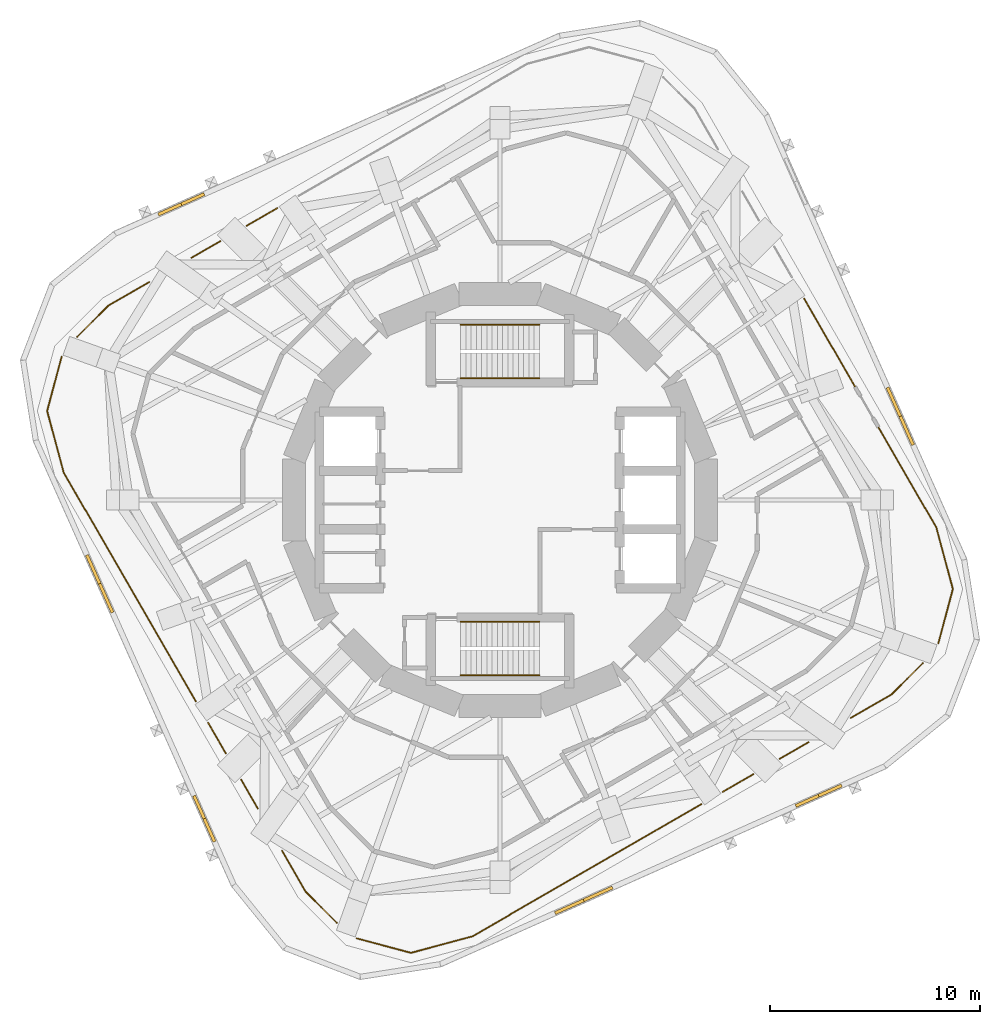
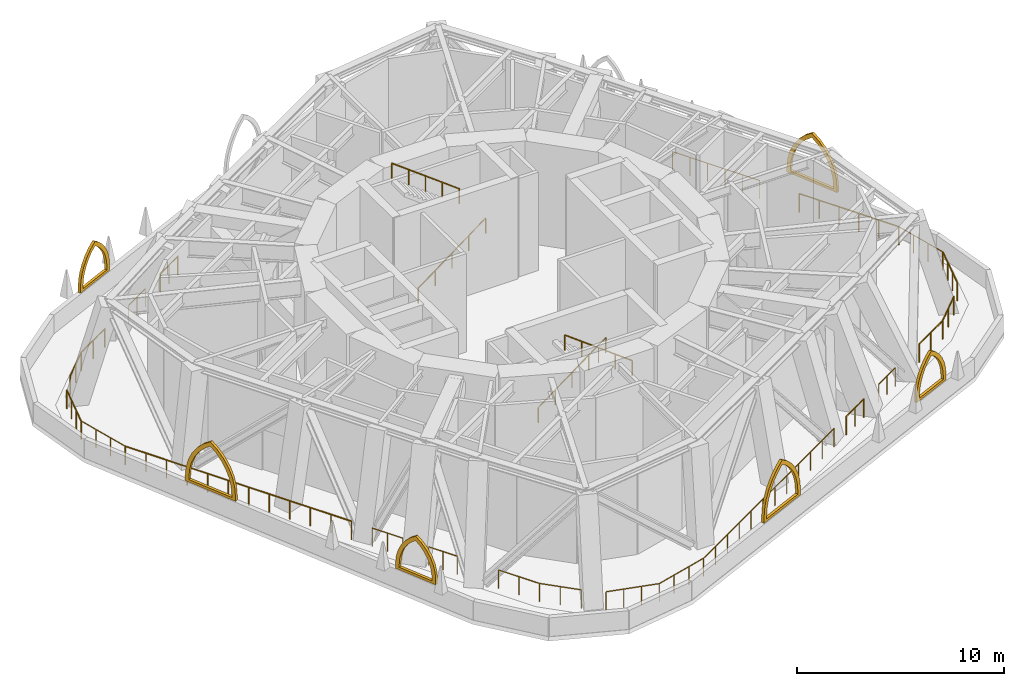
# One storey, part 8 of 10: 26 railings, 6 shading devices.
"""IFC4 building model written with IfcOpenShell, lengths in metres."""

from ifc_helpers import new_model, si_unit, direction, frame, origin, origin_2d, place, context, subcontext, project, spatial, polyline, circle, outline, extrude, material, type_object, element, save


model = new_model("IFC4")

# Units and contexts
model_context = context("Model", 3, precision=1e-05, world=origin(), true_north=direction((0.0, 1.0)))
body_context = subcontext(model_context, "Body", "Model", "MODEL_VIEW")
ifc_project = project(units=[si_unit("LENGTHUNIT", "METRE"), si_unit("AREAUNIT", "SQUARE_METRE"), si_unit("VOLUMEUNIT", "CUBIC_METRE"), si_unit("PLANEANGLEUNIT", "RADIAN"), si_unit("MASSUNIT", "GRAM", prefix="KILO")], contexts=[model_context])

# Site, building, storey
site_placement = place(None, origin())
site = spatial("IfcSite", under=ifc_project, at=site_placement, CompositionType="ELEMENT")
building_placement = place(site_placement, origin())
building = spatial("IfcBuilding", under=site, at=building_placement, Name="Nakasero Lantern House", CompositionType="ELEMENT")
storey_placement = place(building_placement, frame((0.0, 0.0, 217.10009765625)))
storey = spatial("IfcBuildingStorey", under=building, at=storey_placement, Name="L53", CompositionType="ELEMENT", Elevation=217.10009765625)

# Shading devices
ifc_material_1 = material(Name="Aluminium 6063-T6", Category="aluminium")
shading_device_type_1 = type_object("IfcShadingDeviceType", Name="Lancet screen 2400", PredefinedType="USERDEFINED", material=ifc_material_1)
for number, where, z_axis, x_axis, name in (
    (1, (-15.1845703125, 14.09228515625, 1.099853515625), (0.0, 0.0, 1.0), (-0.913545458, -0.406736643, 0.0), "Tracery screen L53 1-01"),
    (2, (-14.09228515625, -15.1845703125, 1.099853515625), (0.0, 0.0, 1.0), (0.406736643, -0.913545458, 0.0), "Tracery screen L53 2-01"),
    (3, (15.1845703125, -14.09228515625, 1.099853515625), (0.0, 0.0, 1.0), (0.913545458, 0.406736643, 0.0), "Tracery screen L53 3-01"),
):
    element("IfcShadingDevice", number, at=place(storey_placement, frame(where, z_axis=z_axis, x_axis=x_axis)), inside=storey, type_object=shading_device_type_1, Name=name, ObjectType="LANCET SCREEN", PredefinedType="USERDEFINED", context=body_context, shape_type="SweptSolid", body=[
        extrude(outline(polyline([(-1.199951171875, 0.0), (1.199951171875, 0.0), (1.199951171875, 0.300048828125), (1.16357421875, 0.716796875), (1.05517578125, 1.120849609375), (0.87841796875, 1.5), (0.638427734375, 1.8427734375), (0.3427734375, 2.138427734375), (0.0, 2.37841796875), (-0.3427734375, 2.138427734375), (-0.638427734375, 1.8427734375), (-0.87841796875, 1.5), (-1.05517578125, 1.120849609375), (-1.16357421875, 0.716796875), (-1.199951171875, 0.300048828125), (-1.199951171875, 0.0)]), holes=[polyline([(-0.97998046875, 0.14990234375), (0.97998046875, 0.14990234375), (0.97998046875, 0.300048828125), (0.950439453125, 0.6572265625), (0.86279296875, 1.0048828125), (0.719482421875, 1.33349609375), (0.524169921875, 1.63427734375), (0.281982421875, 1.898681640625), (0.0, 2.1201171875), (-0.281982421875, 1.898681640625), (-0.524169921875, 1.63427734375), (-0.719482421875, 1.33349609375), (-0.86279296875, 1.0048828125), (-0.950439453125, 0.6572265625), (-0.97998046875, 0.300048828125), (-0.97998046875, 0.14990234375)])]), frame((0.0, 0.074951171875, 0.0), z_axis=(0.0, -1.0, 0.0), x_axis=(1.0, 0.0, 0.0)), (0.0, 0.0, 1.0), 0.14990234375),
    ])
ifc_material_2 = material(Name="Aluminium 6063-T6", Category="aluminium")
shading_device_type_2 = type_object("IfcShadingDeviceType", Name="Lancet screen 3000", PredefinedType="USERDEFINED", material=ifc_material_2)
for number, where, z_axis, x_axis, name in (
    (4, (19.076171875, 3.990234375, 1.099853515625), (0.0, 0.0, 1.0), (-0.406736643, 0.913545458, 0.0), "Tracery screen L53 0-00"),
    (5, (-19.076171875, -3.990234375, 1.099853515625), (0.0, 0.0, 1.0), (0.406736643, -0.913545458, 0.0), "Tracery screen L53 2-00"),
    (6, (3.990234375, -19.076171875, 1.099853515625), (0.0, 0.0, 1.0), (0.913545458, 0.406736643, 0.0), "Tracery screen L53 3-00"),
):
    element("IfcShadingDevice", number, at=place(storey_placement, frame(where, z_axis=z_axis, x_axis=x_axis)), inside=storey, type_object=shading_device_type_2, Name=name, ObjectType="LANCET SCREEN", PredefinedType="USERDEFINED", context=body_context, shape_type="SweptSolid", body=[
        extrude(outline(polyline([(-1.5, 0.0), (1.5, 0.0), (1.5, 0.300048828125), (1.454345703125, 0.821044921875), (1.319091796875, 1.326171875), (1.09814453125, 1.800048828125), (0.798095703125, 2.228271484375), (0.428466796875, 2.59814453125), (0.0, 2.898193359375), (-0.428466796875, 2.59814453125), (-0.798095703125, 2.228271484375), (-1.09814453125, 1.800048828125), (-1.319091796875, 1.326171875), (-1.454345703125, 0.821044921875), (-1.5, 0.300048828125), (-1.5, 0.0)]), holes=[polyline([(-1.280029296875, 0.14990234375), (1.280029296875, 0.14990234375), (1.280029296875, 0.300048828125), (1.241455078125, 0.761474609375), (1.126708984375, 1.21044921875), (0.939208984375, 1.6337890625), (0.683837890625, 2.020263671875), (0.367919921875, 2.359130859375), (0.0, 2.640625), (-0.367919921875, 2.359130859375), (-0.683837890625, 2.020263671875), (-0.939208984375, 1.6337890625), (-1.126708984375, 1.21044921875), (-1.241455078125, 0.761474609375), (-1.280029296875, 0.300048828125), (-1.280029296875, 0.14990234375)])]), frame((0.0, 0.074951171875, 0.0), z_axis=(0.0, -1.0, 0.0), x_axis=(1.0, 0.0, 0.0)), (0.0, 0.0, 1.0), 0.14990234375),
    ])

# Railings
ifc_material_3 = material(Name="Aluminium 6063-T6", Category="aluminium")
railing_type_1 = type_object("IfcRailingType", Name="Sky garden guard 1100", PredefinedType="GUARDRAIL", material=ifc_material_3)
railing_1_placement = place(storey_placement, frame((-21.580078125, 4.245849609375, 0.0)))
element("IfcRailing", 7, at=railing_1_placement, inside=storey, type_object=railing_type_1, Name="Refuge area guard L53 1", PredefinedType="GUARDRAIL", context=body_context, shape_type="SweptSolid", body=[
    extrude(circle(Radius=0.02392578125, at=origin_2d()), frame((0.0, 0.0, 1.076171875), z_axis=(0.258818398619, 0.965925999513, 0.0), x_axis=(-0.965925999513, 0.258818398619, 0.0)), (0.0, 0.0, 1.0), 2.66845703125),
    extrude(circle(Radius=0.02099609375, at=origin_2d()), origin(), (0.0, 0.0, 1.0), 1.052001953125),
    extrude(circle(Radius=0.02099609375, at=origin_2d()), frame((0.230224609375, 0.859130859375, 0.0)), (0.0, 0.0, 1.0), 1.052001953125),
    extrude(circle(Radius=0.02099609375, at=origin_2d()), frame((0.46044921875, 1.718505859375, 0.0)), (0.0, 0.0, 1.0), 1.052001953125),
    extrude(circle(Radius=0.02099609375, at=origin_2d()), frame((0.690673828125, 2.57763671875, 0.0)), (0.0, 0.0, 1.0), 1.052001953125),
])
railing_2_placement = place(storey_placement, frame((-20.7958984375, 1.319580078125, 0.0)))
element("IfcRailing", 8, at=railing_2_placement, inside=storey, type_object=railing_type_1, Name="Refuge area guard L53 2", PredefinedType="GUARDRAIL", context=body_context, shape_type="SweptSolid", body=[
    extrude(circle(Radius=0.02392578125, at=origin_2d()), frame((0.0, 0.0, 1.076171875), z_axis=(-0.258846186657, 0.965918553323, 0.0), x_axis=(-0.965918553323, -0.258846186657, 0.0)), (0.0, 0.0, 1.0), 3.029541015625),
    extrude(circle(Radius=0.02099609375, at=origin_2d()), origin(), (0.0, 0.0, 1.0), 1.052001953125),
    extrude(circle(Radius=0.02099609375, at=origin_2d()), frame((-0.261474609375, 0.975341796875, 0.0)), (0.0, 0.0, 1.0), 1.052001953125),
    extrude(circle(Radius=0.02099609375, at=origin_2d()), frame((-0.522705078125, 1.950927734375, 0.0)), (0.0, 0.0, 1.0), 1.052001953125),
    extrude(circle(Radius=0.02099609375, at=origin_2d()), frame((-0.7841796875, 2.92626953125, 0.0)), (0.0, 0.0, 1.0), 1.052001953125),
])
railing_3_placement = place(storey_placement, frame((-20.150146484375, 7.774658203125, 0.0)))
element("IfcRailing", 9, at=railing_3_placement, inside=storey, type_object=railing_type_1, Name="Refuge area guard L53 3", PredefinedType="GUARDRAIL", context=body_context, shape_type="SweptSolid", body=[
    extrude(circle(Radius=0.02392578125, at=origin_2d()), frame((0.0, 0.0, 1.076171875), z_axis=(0.707106781187, 0.707106781187, 0.0), x_axis=(-0.707106781187, 0.707106781187, 0.0)), (0.0, 0.0, 1.0), 2.09375),
    extrude(circle(Radius=0.02099609375, at=origin_2d()), origin(), (0.0, 0.0, 1.0), 1.052001953125),
    extrude(circle(Radius=0.02099609375, at=origin_2d()), frame((0.740234375, 0.740234375, 0.0)), (0.0, 0.0, 1.0), 1.052001953125),
    extrude(circle(Radius=0.02099609375, at=origin_2d()), frame((1.48046875, 1.48046875, 0.0)), (0.0, 0.0, 1.0), 1.052001953125),
])
railing_4_placement = place(storey_placement, frame((-18.669677734375, 9.255126953125, 0.0)))
element("IfcRailing", 10, at=railing_4_placement, inside=storey, type_object=railing_type_1, Name="Refuge area guard L53 4", PredefinedType="GUARDRAIL", context=body_context, shape_type="SweptSolid", body=[
    extrude(circle(Radius=0.02392578125, at=origin_2d()), frame((0.0, 0.0, 1.076171875), z_axis=(0.866031630577, 0.499989214724, 0.0), x_axis=(-0.499989214724, 0.866031630577, 0.0)), (0.0, 0.0, 1.0), 2.27099609375),
    extrude(circle(Radius=0.02099609375, at=origin_2d()), origin(), (0.0, 0.0, 1.0), 1.052001953125),
    extrude(circle(Radius=0.02099609375, at=origin_2d()), frame((0.9833984375, 0.56787109375, 0.0)), (0.0, 0.0, 1.0), 1.052001953125),
    extrude(circle(Radius=0.02099609375, at=origin_2d()), frame((1.966796875, 1.135498046875, 0.0)), (0.0, 0.0, 1.0), 1.052001953125),
])
railing_5_placement = place(storey_placement, frame((-14.705322265625, 11.5439453125, 0.0)))
element("IfcRailing", 11, at=railing_5_placement, inside=storey, type_object=railing_type_1, Name="Refuge area guard L53 5", PredefinedType="GUARDRAIL", context=body_context, shape_type="SweptSolid", body=[
    extrude(circle(Radius=0.02392578125, at=origin_2d()), frame((0.0, 0.0, 1.076171875), z_axis=(0.866070501561, 0.499921880224, 0.0), x_axis=(-0.499921880224, 0.866070501561, 0.0)), (0.0, 0.0, 1.0), 1.589599609375),
    extrude(circle(Radius=0.02099609375, at=origin_2d()), origin(), (0.0, 0.0, 1.0), 1.052001953125),
    extrude(circle(Radius=0.02099609375, at=origin_2d()), frame((0.6884765625, 0.3974609375, 0.0)), (0.0, 0.0, 1.0), 1.052001953125),
    extrude(circle(Radius=0.02099609375, at=origin_2d()), frame((1.376708984375, 0.794677734375, 0.0)), (0.0, 0.0, 1.0), 1.052001953125),
])
railing_6_placement = place(storey_placement, frame((-14.49169921875, -9.599609375, 0.0)))
element("IfcRailing", 12, at=railing_6_placement, inside=storey, type_object=railing_type_1, Name="Refuge area guard L53 6", PredefinedType="GUARDRAIL", context=body_context, shape_type="SweptSolid", body=[
    extrude(circle(Radius=0.02392578125, at=origin_2d()), frame((0.0, 0.0, 1.076171875), z_axis=(-0.500000133759, 0.866025326558, 0.0), x_axis=(-0.866025326558, -0.500000133759, 0.0)), (0.0, 0.0, 1.0), 12.6083984375),
    extrude(circle(Radius=0.02099609375, at=origin_2d()), origin(), (0.0, 0.0, 1.0), 1.052001953125),
    extrude(circle(Radius=0.02099609375, at=origin_2d()), frame((-0.572998046875, 0.99267578125, 0.0)), (0.0, 0.0, 1.0), 1.052001953125),
    extrude(circle(Radius=0.02099609375, at=origin_2d()), frame((-1.146240234375, 1.9853515625, 0.0)), (0.0, 0.0, 1.0), 1.052001953125),
    extrude(circle(Radius=0.02099609375, at=origin_2d()), frame((-1.71923828125, 2.97802734375, 0.0)), (0.0, 0.0, 1.0), 1.052001953125),
    extrude(circle(Radius=0.02099609375, at=origin_2d()), frame((-2.29248046875, 3.970703125, 0.0)), (0.0, 0.0, 1.0), 1.052001953125),
    extrude(circle(Radius=0.02099609375, at=origin_2d()), frame((-2.865478515625, 4.96337890625, 0.0)), (0.0, 0.0, 1.0), 1.052001953125),
    extrude(circle(Radius=0.02099609375, at=origin_2d()), frame((-3.438720703125, 5.955810546875, 0.0)), (0.0, 0.0, 1.0), 1.052001953125),
    extrude(circle(Radius=0.02099609375, at=origin_2d()), frame((-4.01171875, 6.948486328125, 0.0)), (0.0, 0.0, 1.0), 1.052001953125),
    extrude(circle(Radius=0.02099609375, at=origin_2d()), frame((-4.5849609375, 7.941162109375, 0.0)), (0.0, 0.0, 1.0), 1.052001953125),
    extrude(circle(Radius=0.02099609375, at=origin_2d()), frame((-5.157958984375, 8.933837890625, 0.0)), (0.0, 0.0, 1.0), 1.052001953125),
    extrude(circle(Radius=0.02099609375, at=origin_2d()), frame((-5.731201171875, 9.926513671875, 0.0)), (0.0, 0.0, 1.0), 1.052001953125),
    extrude(circle(Radius=0.02099609375, at=origin_2d()), frame((-6.30419921875, 10.919189453125, 0.0)), (0.0, 0.0, 1.0), 1.052001953125),
])
railing_7_placement = place(storey_placement, frame((-13.0634765625, -12.073486328125, 0.0)))
element("IfcRailing", 13, at=railing_7_placement, inside=storey, type_object=railing_type_1, Name="Refuge area guard L53 7", PredefinedType="GUARDRAIL", context=body_context, shape_type="SweptSolid", body=[
    extrude(circle(Radius=0.02392578125, at=origin_2d()), frame((0.0, 0.0, 1.076171875), z_axis=(-0.499966756159, 0.866044596274, 0.0), x_axis=(-0.866044596274, -0.499966756159, 0.0)), (0.0, 0.0, 1.0), 1.701171875),
    extrude(circle(Radius=0.02099609375, at=origin_2d()), origin(), (0.0, 0.0, 1.0), 1.052001953125),
    extrude(circle(Radius=0.02099609375, at=origin_2d()), frame((-0.42529296875, 0.73681640625, 0.0)), (0.0, 0.0, 1.0), 1.052001953125),
    extrude(circle(Radius=0.02099609375, at=origin_2d()), frame((-0.8505859375, 1.473388671875, 0.0)), (0.0, 0.0, 1.0), 1.052001953125),
])
railing_8_placement = place(storey_placement, frame((-12.073486328125, 13.0634765625, 0.0)))
element("IfcRailing", 14, at=railing_8_placement, inside=storey, type_object=railing_type_1, Name="Refuge area guard L53 8", PredefinedType="GUARDRAIL", context=body_context, shape_type="SweptSolid", body=[
    extrude(circle(Radius=0.02392578125, at=origin_2d()), frame((0.0, 0.0, 1.076171875), z_axis=(0.866044596274, 0.499966756159, 0.0), x_axis=(-0.499966756159, 0.866044596274, 0.0)), (0.0, 0.0, 1.0), 1.701171875),
    extrude(circle(Radius=0.02099609375, at=origin_2d()), origin(), (0.0, 0.0, 1.0), 1.052001953125),
    extrude(circle(Radius=0.02099609375, at=origin_2d()), frame((0.73681640625, 0.42529296875, 0.0)), (0.0, 0.0, 1.0), 1.052001953125),
    extrude(circle(Radius=0.02099609375, at=origin_2d()), frame((1.473388671875, 0.8505859375, 0.0)), (0.0, 0.0, 1.0), 1.052001953125),
])
railing_9_placement = place(storey_placement, frame((-11.5439453125, -14.705322265625, 0.0)))
element("IfcRailing", 15, at=railing_9_placement, inside=storey, type_object=railing_type_1, Name="Refuge area guard L53 9", PredefinedType="GUARDRAIL", context=body_context, shape_type="SweptSolid", body=[
    extrude(circle(Radius=0.02392578125, at=origin_2d()), frame((0.0, 0.0, 1.076171875), z_axis=(-0.499921880224, 0.866070501561, 0.0), x_axis=(-0.866070501561, -0.499921880224, 0.0)), (0.0, 0.0, 1.0), 1.589599609375),
    extrude(circle(Radius=0.02099609375, at=origin_2d()), origin(), (0.0, 0.0, 1.0), 1.052001953125),
    extrude(circle(Radius=0.02099609375, at=origin_2d()), frame((-0.3974609375, 0.6884765625, 0.0)), (0.0, 0.0, 1.0), 1.052001953125),
    extrude(circle(Radius=0.02099609375, at=origin_2d()), frame((-0.794677734375, 1.376708984375, 0.0)), (0.0, 0.0, 1.0), 1.052001953125),
])
railing_10_placement = place(storey_placement, frame((-9.255126953125, -18.669677734375, 0.0)))
element("IfcRailing", 16, at=railing_10_placement, inside=storey, type_object=railing_type_1, Name="Refuge area guard L53 11", PredefinedType="GUARDRAIL", context=body_context, shape_type="SweptSolid", body=[
    extrude(circle(Radius=0.02392578125, at=origin_2d()), frame((0.0, 0.0, 1.076171875), z_axis=(-0.499989214724, 0.866031630577, 0.0), x_axis=(-0.866031630577, -0.499989214724, 0.0)), (0.0, 0.0, 1.0), 2.27099609375),
    extrude(circle(Radius=0.02099609375, at=origin_2d()), origin(), (0.0, 0.0, 1.0), 1.052001953125),
    extrude(circle(Radius=0.02099609375, at=origin_2d()), frame((-0.56787109375, 0.9833984375, 0.0)), (0.0, 0.0, 1.0), 1.052001953125),
    extrude(circle(Radius=0.02099609375, at=origin_2d()), frame((-1.135498046875, 1.966796875, 0.0)), (0.0, 0.0, 1.0), 1.052001953125),
])
railing_11_placement = place(storey_placement, frame((-7.774658203125, -20.150146484375, 0.0)))
element("IfcRailing", 17, at=railing_11_placement, inside=storey, type_object=railing_type_1, Name="Refuge area guard L53 12", PredefinedType="GUARDRAIL", context=body_context, shape_type="SweptSolid", body=[
    extrude(circle(Radius=0.02392578125, at=origin_2d()), frame((0.0, 0.0, 1.076171875), z_axis=(-0.707106781187, 0.707106781187, 0.0), x_axis=(-0.707106781187, -0.707106781187, 0.0)), (0.0, 0.0, 1.0), 2.09375),
    extrude(circle(Radius=0.02099609375, at=origin_2d()), origin(), (0.0, 0.0, 1.0), 1.052001953125),
    extrude(circle(Radius=0.02099609375, at=origin_2d()), frame((-0.740234375, 0.740234375, 0.0)), (0.0, 0.0, 1.0), 1.052001953125),
    extrude(circle(Radius=0.02099609375, at=origin_2d()), frame((-1.48046875, 1.48046875, 0.0)), (0.0, 0.0, 1.0), 1.052001953125),
])
railing_12_placement = place(storey_placement, frame((-4.245849609375, -21.580078125, 0.0)))
element("IfcRailing", 18, at=railing_12_placement, inside=storey, type_object=railing_type_1, Name="Refuge area guard L53 13", PredefinedType="GUARDRAIL", context=body_context, shape_type="SweptSolid", body=[
    extrude(circle(Radius=0.02392578125, at=origin_2d()), frame((0.0, 0.0, 1.076171875), z_axis=(-0.965925999513, 0.258818398619, 0.0), x_axis=(-0.258818398619, -0.965925999513, 0.0)), (0.0, 0.0, 1.0), 2.66845703125),
    extrude(circle(Radius=0.02099609375, at=origin_2d()), origin(), (0.0, 0.0, 1.0), 1.052001953125),
    extrude(circle(Radius=0.02099609375, at=origin_2d()), frame((-0.859130859375, 0.230224609375, 0.0)), (0.0, 0.0, 1.0), 1.052001953125),
    extrude(circle(Radius=0.02099609375, at=origin_2d()), frame((-1.718505859375, 0.46044921875, 0.0)), (0.0, 0.0, 1.0), 1.052001953125),
    extrude(circle(Radius=0.02099609375, at=origin_2d()), frame((-2.57763671875, 0.690673828125, 0.0)), (0.0, 0.0, 1.0), 1.052001953125),
])
railing_13_placement = place(storey_placement, frame((-1.319580078125, -20.7958984375, 0.0)))
element("IfcRailing", 19, at=railing_13_placement, inside=storey, type_object=railing_type_1, Name="Refuge area guard L53 14", PredefinedType="GUARDRAIL", context=body_context, shape_type="SweptSolid", body=[
    extrude(circle(Radius=0.02392578125, at=origin_2d()), frame((0.0, 0.0, 1.076171875), z_axis=(-0.965918553323, -0.258846186657, 0.0), x_axis=(0.258846186657, -0.965918553323, 0.0)), (0.0, 0.0, 1.0), 3.029541015625),
    extrude(circle(Radius=0.02099609375, at=origin_2d()), origin(), (0.0, 0.0, 1.0), 1.052001953125),
    extrude(circle(Radius=0.02099609375, at=origin_2d()), frame((-0.975341796875, -0.261474609375, 0.0)), (0.0, 0.0, 1.0), 1.052001953125),
    extrude(circle(Radius=0.02099609375, at=origin_2d()), frame((-1.950927734375, -0.522705078125, 0.0)), (0.0, 0.0, 1.0), 1.052001953125),
    extrude(circle(Radius=0.02099609375, at=origin_2d()), frame((-2.92626953125, -0.7841796875, 0.0)), (0.0, 0.0, 1.0), 1.052001953125),
])
railing_14_placement = place(storey_placement, frame((9.599609375, -14.49169921875, 0.0)))
element("IfcRailing", 20, at=railing_14_placement, inside=storey, type_object=railing_type_1, Name="Refuge area guard L53 19", PredefinedType="GUARDRAIL", context=body_context, shape_type="SweptSolid", body=[
    extrude(circle(Radius=0.02392578125, at=origin_2d()), frame((0.0, 0.0, 1.076171875), z_axis=(-0.866025326558, -0.500000133759, 0.0), x_axis=(0.500000133759, -0.866025326558, 0.0)), (0.0, 0.0, 1.0), 12.6083984375),
    extrude(circle(Radius=0.02099609375, at=origin_2d()), origin(), (0.0, 0.0, 1.0), 1.052001953125),
    extrude(circle(Radius=0.02099609375, at=origin_2d()), frame((-0.99267578125, -0.572998046875, 0.0)), (0.0, 0.0, 1.0), 1.052001953125),
    extrude(circle(Radius=0.02099609375, at=origin_2d()), frame((-1.9853515625, -1.146240234375, 0.0)), (0.0, 0.0, 1.0), 1.052001953125),
    extrude(circle(Radius=0.02099609375, at=origin_2d()), frame((-2.97802734375, -1.71923828125, 0.0)), (0.0, 0.0, 1.0), 1.052001953125),
    extrude(circle(Radius=0.02099609375, at=origin_2d()), frame((-3.970703125, -2.29248046875, 0.0)), (0.0, 0.0, 1.0), 1.052001953125),
    extrude(circle(Radius=0.02099609375, at=origin_2d()), frame((-4.96337890625, -2.865478515625, 0.0)), (0.0, 0.0, 1.0), 1.052001953125),
    extrude(circle(Radius=0.02099609375, at=origin_2d()), frame((-5.955810546875, -3.438720703125, 0.0)), (0.0, 0.0, 1.0), 1.052001953125),
    extrude(circle(Radius=0.02099609375, at=origin_2d()), frame((-6.948486328125, -4.01171875, 0.0)), (0.0, 0.0, 1.0), 1.052001953125),
    extrude(circle(Radius=0.02099609375, at=origin_2d()), frame((-7.941162109375, -4.5849609375, 0.0)), (0.0, 0.0, 1.0), 1.052001953125),
    extrude(circle(Radius=0.02099609375, at=origin_2d()), frame((-8.933837890625, -5.157958984375, 0.0)), (0.0, 0.0, 1.0), 1.052001953125),
    extrude(circle(Radius=0.02099609375, at=origin_2d()), frame((-9.926513671875, -5.731201171875, 0.0)), (0.0, 0.0, 1.0), 1.052001953125),
    extrude(circle(Radius=0.02099609375, at=origin_2d()), frame((-10.919189453125, -6.30419921875, 0.0)), (0.0, 0.0, 1.0), 1.052001953125),
])
railing_15_placement = place(storey_placement, frame((12.073486328125, -13.0634765625, 0.0)))
element("IfcRailing", 21, at=railing_15_placement, inside=storey, type_object=railing_type_1, Name="Refuge area guard L53 21", PredefinedType="GUARDRAIL", context=body_context, shape_type="SweptSolid", body=[
    extrude(circle(Radius=0.02392578125, at=origin_2d()), frame((0.0, 0.0, 1.076171875), z_axis=(-0.866044596274, -0.499966756159, 0.0), x_axis=(0.499966756159, -0.866044596274, 0.0)), (0.0, 0.0, 1.0), 1.701171875),
    extrude(circle(Radius=0.02099609375, at=origin_2d()), origin(), (0.0, 0.0, 1.0), 1.052001953125),
    extrude(circle(Radius=0.02099609375, at=origin_2d()), frame((-0.73681640625, -0.42529296875, 0.0)), (0.0, 0.0, 1.0), 1.052001953125),
    extrude(circle(Radius=0.02099609375, at=origin_2d()), frame((-1.473388671875, -0.8505859375, 0.0)), (0.0, 0.0, 1.0), 1.052001953125),
])
railing_16_placement = place(storey_placement, frame((14.49169921875, 9.599609375, 0.0)))
element("IfcRailing", 22, at=railing_16_placement, inside=storey, type_object=railing_type_1, Name="Refuge area guard L53 23", PredefinedType="GUARDRAIL", context=body_context, shape_type="SweptSolid", body=[
    extrude(circle(Radius=0.02392578125, at=origin_2d()), frame((0.0, 0.0, 1.076171875), z_axis=(0.49999597136, -0.866027729709, 0.0), x_axis=(0.866027729709, 0.49999597136, 0.0)), (0.0, 0.0, 1.0), 4.86767578125),
    extrude(circle(Radius=0.02099609375, at=origin_2d()), origin(), (0.0, 0.0, 1.0), 1.052001953125),
    extrude(circle(Radius=0.02099609375, at=origin_2d()), frame((0.48681640625, -0.843017578125, 0.0)), (0.0, 0.0, 1.0), 1.052001953125),
    extrude(circle(Radius=0.02099609375, at=origin_2d()), frame((0.9736328125, -1.686279296875, 0.0)), (0.0, 0.0, 1.0), 1.052001953125),
    extrude(circle(Radius=0.02099609375, at=origin_2d()), frame((1.460205078125, -2.529296875, 0.0)), (0.0, 0.0, 1.0), 1.052001953125),
    extrude(circle(Radius=0.02099609375, at=origin_2d()), frame((1.947021484375, -3.37255859375, 0.0)), (0.0, 0.0, 1.0), 1.052001953125),
    extrude(circle(Radius=0.02099609375, at=origin_2d()), frame((2.433837890625, -4.215576171875, 0.0)), (0.0, 0.0, 1.0), 1.052001953125),
])
railing_17_placement = place(storey_placement, frame((14.705322265625, -11.5439453125, 0.0)))
element("IfcRailing", 23, at=railing_17_placement, inside=storey, type_object=railing_type_1, Name="Refuge area guard L53 24", PredefinedType="GUARDRAIL", context=body_context, shape_type="SweptSolid", body=[
    extrude(circle(Radius=0.02392578125, at=origin_2d()), frame((0.0, 0.0, 1.076171875), z_axis=(-0.866070501561, -0.499921880224, 0.0), x_axis=(0.499921880224, -0.866070501561, 0.0)), (0.0, 0.0, 1.0), 1.589599609375),
    extrude(circle(Radius=0.02099609375, at=origin_2d()), origin(), (0.0, 0.0, 1.0), 1.052001953125),
    extrude(circle(Radius=0.02099609375, at=origin_2d()), frame((-0.6884765625, -0.3974609375, 0.0)), (0.0, 0.0, 1.0), 1.052001953125),
    extrude(circle(Radius=0.02099609375, at=origin_2d()), frame((-1.376708984375, -0.794677734375, 0.0)), (0.0, 0.0, 1.0), 1.052001953125),
])
railing_18_placement = place(storey_placement, frame((18.025634765625, 3.478759765625, 0.0)))
element("IfcRailing", 24, at=railing_18_placement, inside=storey, type_object=railing_type_1, Name="Refuge area guard L53 25", PredefinedType="GUARDRAIL", context=body_context, shape_type="SweptSolid", body=[
    extrude(circle(Radius=0.02392578125, at=origin_2d()), frame((0.0, 0.0, 1.076171875), z_axis=(0.499991996097, -0.86603002479, 0.0), x_axis=(0.86603002479, 0.499991996097, 0.0)), (0.0, 0.0, 1.0), 5.54052734375),
    extrude(circle(Radius=0.02099609375, at=origin_2d()), origin(), (0.0, 0.0, 1.0), 1.052001953125),
    extrude(circle(Radius=0.02099609375, at=origin_2d()), frame((0.553955078125, -0.959716796875, 0.0)), (0.0, 0.0, 1.0), 1.052001953125),
    extrude(circle(Radius=0.02099609375, at=origin_2d()), frame((1.108154296875, -1.91943359375, 0.0)), (0.0, 0.0, 1.0), 1.052001953125),
    extrude(circle(Radius=0.02099609375, at=origin_2d()), frame((1.662109375, -2.87890625, 0.0)), (0.0, 0.0, 1.0), 1.052001953125),
    extrude(circle(Radius=0.02099609375, at=origin_2d()), frame((2.21630859375, -3.838623046875, 0.0)), (0.0, 0.0, 1.0), 1.052001953125),
    extrude(circle(Radius=0.02099609375, at=origin_2d()), frame((2.770263671875, -4.79833984375, 0.0)), (0.0, 0.0, 1.0), 1.052001953125),
])
railing_19_placement = place(storey_placement, frame((18.669677734375, -9.255126953125, 0.0)))
element("IfcRailing", 25, at=railing_19_placement, inside=storey, type_object=railing_type_1, Name="Refuge area guard L53 26", PredefinedType="GUARDRAIL", context=body_context, shape_type="SweptSolid", body=[
    extrude(circle(Radius=0.02392578125, at=origin_2d()), frame((0.0, 0.0, 1.076171875), z_axis=(-0.866031630577, -0.499989214724, 0.0), x_axis=(0.499989214724, -0.866031630577, 0.0)), (0.0, 0.0, 1.0), 2.27099609375),
    extrude(circle(Radius=0.02099609375, at=origin_2d()), origin(), (0.0, 0.0, 1.0), 1.052001953125),
    extrude(circle(Radius=0.02099609375, at=origin_2d()), frame((-0.9833984375, -0.56787109375, 0.0)), (0.0, 0.0, 1.0), 1.052001953125),
    extrude(circle(Radius=0.02099609375, at=origin_2d()), frame((-1.966796875, -1.135498046875, 0.0)), (0.0, 0.0, 1.0), 1.052001953125),
])
railing_20_placement = place(storey_placement, frame((20.150146484375, -7.774658203125, 0.0)))
element("IfcRailing", 26, at=railing_20_placement, inside=storey, type_object=railing_type_1, Name="Refuge area guard L53 27", PredefinedType="GUARDRAIL", context=body_context, shape_type="SweptSolid", body=[
    extrude(circle(Radius=0.02392578125, at=origin_2d()), frame((0.0, 0.0, 1.076171875), z_axis=(-0.707106781187, -0.707106781187, 0.0), x_axis=(0.707106781187, -0.707106781187, 0.0)), (0.0, 0.0, 1.0), 2.09375),
    extrude(circle(Radius=0.02099609375, at=origin_2d()), origin(), (0.0, 0.0, 1.0), 1.052001953125),
    extrude(circle(Radius=0.02099609375, at=origin_2d()), frame((-0.740234375, -0.740234375, 0.0)), (0.0, 0.0, 1.0), 1.052001953125),
    extrude(circle(Radius=0.02099609375, at=origin_2d()), frame((-1.48046875, -1.48046875, 0.0)), (0.0, 0.0, 1.0), 1.052001953125),
])
railing_21_placement = place(storey_placement, frame((20.7958984375, -1.319580078125, 0.0)))
element("IfcRailing", 27, at=railing_21_placement, inside=storey, type_object=railing_type_1, Name="Refuge area guard L53 28", PredefinedType="GUARDRAIL", context=body_context, shape_type="SweptSolid", body=[
    extrude(circle(Radius=0.02392578125, at=origin_2d()), frame((0.0, 0.0, 1.076171875), z_axis=(0.258846186657, -0.965918553323, 0.0), x_axis=(0.965918553323, 0.258846186657, 0.0)), (0.0, 0.0, 1.0), 3.029541015625),
    extrude(circle(Radius=0.02099609375, at=origin_2d()), origin(), (0.0, 0.0, 1.0), 1.052001953125),
    extrude(circle(Radius=0.02099609375, at=origin_2d()), frame((0.261474609375, -0.975341796875, 0.0)), (0.0, 0.0, 1.0), 1.052001953125),
    extrude(circle(Radius=0.02099609375, at=origin_2d()), frame((0.522705078125, -1.950927734375, 0.0)), (0.0, 0.0, 1.0), 1.052001953125),
    extrude(circle(Radius=0.02099609375, at=origin_2d()), frame((0.7841796875, -2.92626953125, 0.0)), (0.0, 0.0, 1.0), 1.052001953125),
])
railing_22_placement = place(storey_placement, frame((21.580078125, -4.245849609375, 0.0)))
element("IfcRailing", 28, at=railing_22_placement, inside=storey, type_object=railing_type_1, Name="Refuge area guard L53 29", PredefinedType="GUARDRAIL", context=body_context, shape_type="SweptSolid", body=[
    extrude(circle(Radius=0.02392578125, at=origin_2d()), frame((0.0, 0.0, 1.076171875), z_axis=(-0.258818398619, -0.965925999513, 0.0), x_axis=(0.965925999513, -0.258818398619, 0.0)), (0.0, 0.0, 1.0), 2.66845703125),
    extrude(circle(Radius=0.02099609375, at=origin_2d()), origin(), (0.0, 0.0, 1.0), 1.052001953125),
    extrude(circle(Radius=0.02099609375, at=origin_2d()), frame((-0.230224609375, -0.859130859375, 0.0)), (0.0, 0.0, 1.0), 1.052001953125),
    extrude(circle(Radius=0.02099609375, at=origin_2d()), frame((-0.46044921875, -1.718505859375, 0.0)), (0.0, 0.0, 1.0), 1.052001953125),
    extrude(circle(Radius=0.02099609375, at=origin_2d()), frame((-0.690673828125, -2.57763671875, 0.0)), (0.0, 0.0, 1.0), 1.052001953125),
])
ifc_material_4 = material(Name="Stainless steel 316", Category="steel")
railing_type_2 = type_object("IfcRailingType", Name="Stair handrail 900", PredefinedType="HANDRAIL", material=ifc_material_4)
railing_23_placement = place(storey_placement, frame((-1.875, 5.800048828125, 0.1875)))
element("IfcRailing", 29, at=railing_23_placement, inside=storey, type_object=railing_type_2, Name="Handrail ST1 L53 flight 1", PredefinedType="HANDRAIL", context=body_context, shape_type="SweptSolid", body=[
    extrude(circle(Radius=0.02392578125, at=origin_2d()), frame((0.0, 0.0, 0.8759765625), z_axis=(0.8, 0.0, 0.6), x_axis=(0.0, 1.0, 0.0)), (0.0, 0.0, 1.0), 4.6875),
    extrude(circle(Radius=0.02099609375, at=origin_2d()), origin(), (0.0, 0.0, 1.0), 0.851806640625),
    extrude(circle(Radius=0.02099609375, at=origin_2d()), frame((0.9375, 0.0, 0.703125)), (0.0, 0.0, 1.0), 0.851806640625),
    extrude(circle(Radius=0.02099609375, at=origin_2d()), frame((1.875, 0.0, 1.40625)), (0.0, 0.0, 1.0), 0.851806640625),
    extrude(circle(Radius=0.02099609375, at=origin_2d()), frame((2.8125, 0.0, 2.109375)), (0.0, 0.0, 1.0), 0.851806640625),
    extrude(circle(Radius=0.02099609375, at=origin_2d()), frame((3.75, 0.0, 2.8125)), (0.0, 0.0, 1.0), 0.851806640625),
])
railing_24_placement = place(storey_placement, frame((1.875, 8.35009765625, 3.1875)))
element("IfcRailing", 30, at=railing_24_placement, inside=storey, type_object=railing_type_2, Name="Handrail ST1 L53 flight 2", PredefinedType="HANDRAIL", context=body_context, shape_type="SweptSolid", body=[
    extrude(circle(Radius=0.02392578125, at=origin_2d()), frame((0.0, 0.0, 0.8759765625), z_axis=(-0.8, 0.0, 0.6), x_axis=(0.0, -1.0, 0.0)), (0.0, 0.0, 1.0), 4.6875),
    extrude(circle(Radius=0.02099609375, at=origin_2d()), origin(), (0.0, 0.0, 1.0), 0.851806640625),
    extrude(circle(Radius=0.02099609375, at=origin_2d()), frame((-0.9375, 0.0, 0.703125)), (0.0, 0.0, 1.0), 0.851806640625),
    extrude(circle(Radius=0.02099609375, at=origin_2d()), frame((-1.875, 0.0, 1.40625)), (0.0, 0.0, 1.0), 0.851806640625),
    extrude(circle(Radius=0.02099609375, at=origin_2d()), frame((-2.8125, 0.0, 2.109375)), (0.0, 0.0, 1.0), 0.851806640625),
    extrude(circle(Radius=0.02099609375, at=origin_2d()), frame((-3.75, 0.0, 2.8125)), (0.0, 0.0, 1.0), 0.851806640625),
])
railing_25_placement = place(storey_placement, frame((-1.875, -5.800048828125, 0.1875)))
element("IfcRailing", 31, at=railing_25_placement, inside=storey, type_object=railing_type_2, Name="Handrail ST2 L53 flight 1", PredefinedType="HANDRAIL", context=body_context, shape_type="SweptSolid", body=[
    extrude(circle(Radius=0.02392578125, at=origin_2d()), frame((0.0, 0.0, 0.8759765625), z_axis=(0.8, 0.0, 0.6), x_axis=(0.0, 1.0, 0.0)), (0.0, 0.0, 1.0), 4.6875),
    extrude(circle(Radius=0.02099609375, at=origin_2d()), origin(), (0.0, 0.0, 1.0), 0.851806640625),
    extrude(circle(Radius=0.02099609375, at=origin_2d()), frame((0.9375, 0.0, 0.703125)), (0.0, 0.0, 1.0), 0.851806640625),
    extrude(circle(Radius=0.02099609375, at=origin_2d()), frame((1.875, 0.0, 1.40625)), (0.0, 0.0, 1.0), 0.851806640625),
    extrude(circle(Radius=0.02099609375, at=origin_2d()), frame((2.8125, 0.0, 2.109375)), (0.0, 0.0, 1.0), 0.851806640625),
    extrude(circle(Radius=0.02099609375, at=origin_2d()), frame((3.75, 0.0, 2.8125)), (0.0, 0.0, 1.0), 0.851806640625),
])
railing_26_placement = place(storey_placement, frame((1.875, -8.35009765625, 3.1875)))
element("IfcRailing", 32, at=railing_26_placement, inside=storey, type_object=railing_type_2, Name="Handrail ST2 L53 flight 2", PredefinedType="HANDRAIL", context=body_context, shape_type="SweptSolid", body=[
    extrude(circle(Radius=0.02392578125, at=origin_2d()), frame((0.0, 0.0, 0.8759765625), z_axis=(-0.8, 0.0, 0.6), x_axis=(0.0, -1.0, 0.0)), (0.0, 0.0, 1.0), 4.6875),
    extrude(circle(Radius=0.02099609375, at=origin_2d()), origin(), (0.0, 0.0, 1.0), 0.851806640625),
    extrude(circle(Radius=0.02099609375, at=origin_2d()), frame((-0.9375, 0.0, 0.703125)), (0.0, 0.0, 1.0), 0.851806640625),
    extrude(circle(Radius=0.02099609375, at=origin_2d()), frame((-1.875, 0.0, 1.40625)), (0.0, 0.0, 1.0), 0.851806640625),
    extrude(circle(Radius=0.02099609375, at=origin_2d()), frame((-2.8125, 0.0, 2.109375)), (0.0, 0.0, 1.0), 0.851806640625),
    extrude(circle(Radius=0.02099609375, at=origin_2d()), frame((-3.75, 0.0, 2.8125)), (0.0, 0.0, 1.0), 0.851806640625),
])

save(model, "model.ifc")
